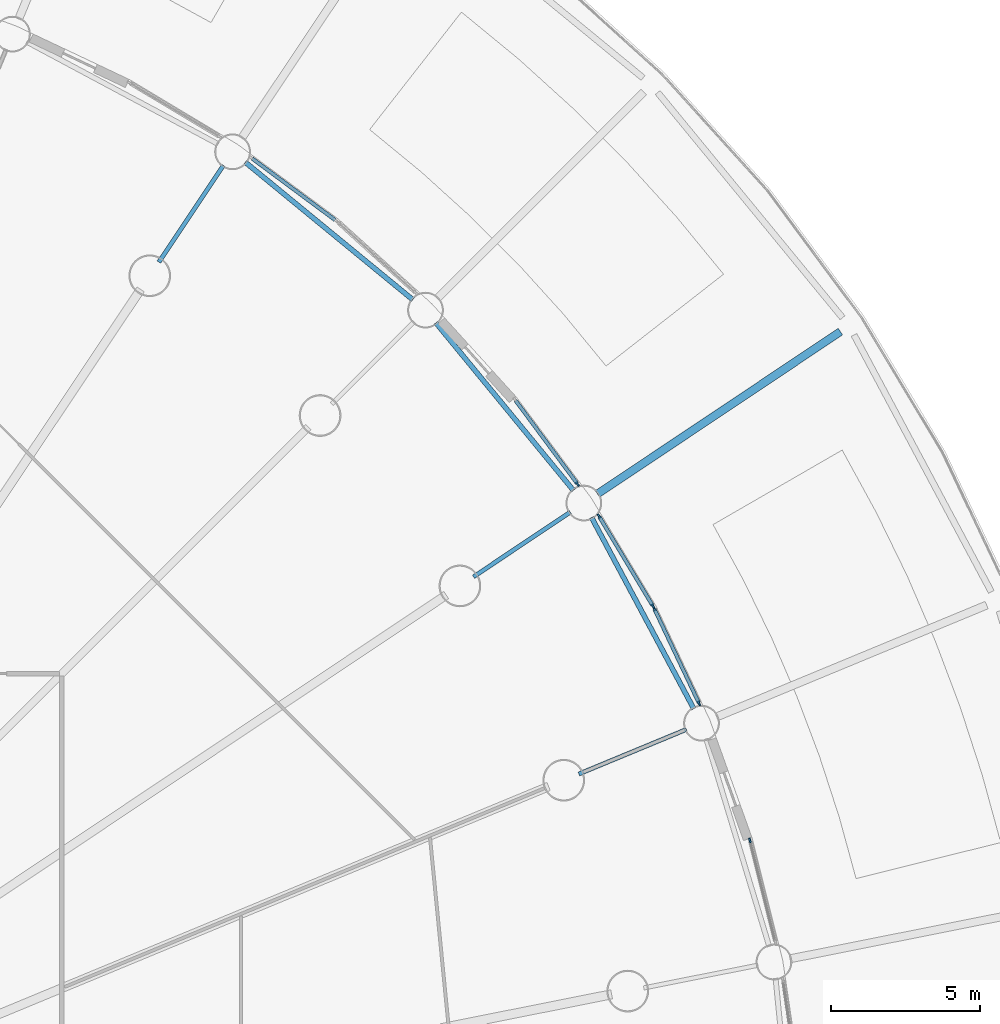
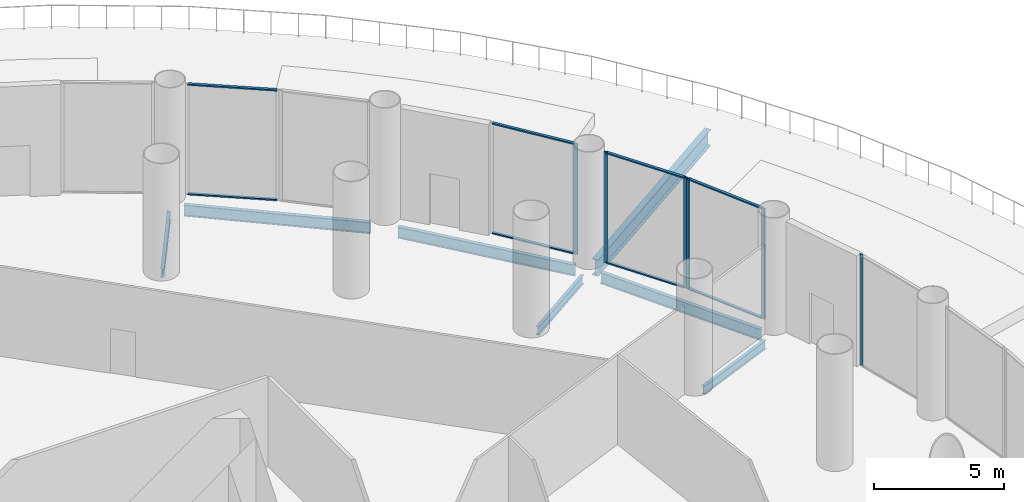
# One storey, part 23 of 36: 14 members, 7 beams, 5 elements without a shape of their own.
"""IFC4 building model written with IfcOpenShell, lengths in metres."""

from ifc_helpers import new_model, si_unit, direction, frame, origin, origin_2d, place, context, subcontext, project, spatial, rectangle, i_section, extrude, material, material_profile, profile_set, type_object, element, aggregate, save


model = new_model("IFC4")

# Units and contexts
model_context = context("Model", 3, precision=1e-05, world=origin(), true_north=direction((0.0, 1.0)))
body_context = subcontext(model_context, "Body", "Model", "MODEL_VIEW")
ifc_project = project(units=[si_unit("LENGTHUNIT", "METRE"), si_unit("AREAUNIT", "SQUARE_METRE"), si_unit("VOLUMEUNIT", "CUBIC_METRE"), si_unit("PLANEANGLEUNIT", "RADIAN"), si_unit("MASSUNIT", "GRAM", prefix="KILO")], contexts=[model_context])

# Site, building, storey
site_placement = place(None, origin())
site = spatial("IfcSite", under=ifc_project, at=site_placement, CompositionType="ELEMENT")
building_placement = place(site_placement, origin())
building = spatial("IfcBuilding", under=site, at=building_placement, Name="Corvane Civic Tower", CompositionType="ELEMENT")
storey_placement = place(building_placement, frame((0.0, 0.0, 6.0)))
storey = spatial("IfcBuildingStorey", under=building, at=storey_placement, Name="L01", CompositionType="ELEMENT", Elevation=6.0)

# Beams
ifc_material_1 = material(Name="Steel ASTM A992 Gr 50", Category="steel")
ifc_material_profile_1 = material_profile(ifc_material_1, i_section(OverallWidth=0.2666015625, OverallDepth=0.7568359375, WebThickness=0.013916015625, FlangeThickness=0.019287109375, at=origin_2d()), Name="W30X108")
ifc_profile_set_1 = profile_set([ifc_material_profile_1], Name="Steel ASTM A992 Gr 50")
beam_type_1 = type_object("IfcBeamType", Name="DECK BEAM W30X108", PredefinedType="BEAM", material=ifc_profile_set_1)
beam_placement = place(storey_placement, frame((35.961181640625, 24.0283203125, -0.678466796875), z_axis=(0.831463421309, 0.555579498385, 0.0), x_axis=(-0.555579498385, 0.831463421309, 0.0)))
element("IfcBeam", 1, at=beam_placement, inside=storey, type_object=beam_type_1, Name="BM-L01-D06", PredefinedType="BEAM", context=body_context, shape_type="SweptSolid", body=[
    extrude(i_section(OverallWidth=0.2666015625, OverallDepth=0.7568359375, WebThickness=0.013916015625, FlangeThickness=0.019287109375, at=origin_2d()), origin(), (0.0, 0.0, 1.0), 9.7998046875),
])
ifc_material_2 = material(Name="Steel ASTM A992 Gr 50", Category="steel")
ifc_material_profile_2 = material_profile(ifc_material_2, i_section(OverallWidth=0.165771484375, OverallDepth=0.5283203125, WebThickness=0.009765625, FlangeThickness=0.013671875, at=origin_2d()), Name="W21X50")
ifc_profile_set_2 = profile_set([ifc_material_profile_2], Name="Steel ASTM A992 Gr 50")
beam_type_2 = type_object("IfcBeamType", Name="EDGE BEAM W21X50", PredefinedType="BEAM", material=ifc_profile_set_2)
for number, where, z_axis, x_axis, name in (
    (2, (24.14794921875, 35.15478515625, -0.564208984375), (0.773007924807, -0.634396365205, 0.0), (0.634396365205, 0.773007924807, 0.0), "BM-L01-E04"),
    (3, (30.542236328125, 29.768310546875, -0.564208984375), (0.634396365205, -0.773007924807, 0.0), (0.773007924807, 0.634396365205, 0.0), "BM-L01-E05"),
    (4, (35.762939453125, 23.23779296875, -0.564208984375), (0.471412394598, -0.881912894916, 0.0), (0.881912894916, 0.471412394598, 0.0), "BM-L01-E06"),
):
    element("IfcBeam", number, at=place(storey_placement, frame(where, z_axis=z_axis, x_axis=x_axis)), inside=storey, type_object=beam_type_2, Name=name, PredefinedType="BEAM", context=body_context, shape_type="SweptSolid", body=[
        extrude(i_section(OverallWidth=0.165771484375, OverallDepth=0.5283203125, WebThickness=0.009765625, FlangeThickness=0.013671875, at=origin_2d()), origin(), (0.0, 0.0, 1.0), 7.270751953125),
    ])
ifc_material_3 = material(Name="Steel ASTM A992 Gr 50", Category="steel")
ifc_material_profile_3 = material_profile(ifc_material_3, i_section(OverallWidth=0.140380859375, OverallDepth=0.40380859375, WebThickness=0.007080078125, FlangeThickness=0.01123046875, at=origin_2d()), Name="W16X31")
ifc_profile_set_3 = profile_set([ifc_material_profile_3], Name="Steel ASTM A992 Gr 50")
beam_type_3 = type_object("IfcBeamType", Name="FLOOR GIRDER W16X31", PredefinedType="BEAM", material=ifc_profile_set_3)
for number, where, z_axis, x_axis, name in (
    (5, (21.25048828125, 31.8037109375, -0.501953125), (0.555581110199, 0.831462344301, 0.0), (-0.831462344301, 0.555581110199, 0.0), "BM-L01-G04b"),
    (6, (31.8037109375, 21.25048828125, -0.501953125), (0.831462344301, 0.555581110199, 0.0), (-0.555581110199, 0.831462344301, 0.0), "BM-L01-G06b"),
    (7, (35.33837890625, 14.6376953125, -0.501953125), (0.923878730261, 0.382685369162, 0.0), (-0.382685369162, 0.923878730261, 0.0), "BM-L01-G07b"),
):
    element("IfcBeam", number, at=place(storey_placement, frame(where, z_axis=z_axis, x_axis=x_axis)), inside=storey, type_object=beam_type_3, Name=name, PredefinedType="BEAM", context=body_context, shape_type="SweptSolid", body=[
        extrude(i_section(OverallWidth=0.140380859375, OverallDepth=0.40380859375, WebThickness=0.007080078125, FlangeThickness=0.01123046875, at=origin_2d()), origin(), (0.0, 0.0, 1.0), 3.89990234375),
    ])

# Curtain wall, member
ifc_material_4 = material(Name="Aluminium and glass", Category="aluminium")
curtain_wall_type = type_object("IfcCurtainWallType", Name="PODIUM-CW-P-RUN", PredefinedType="NOTDEFINED", material=ifc_material_4)
curtain_wall_1_placement = place(storey_placement, origin())
curtain_wall_1 = element("IfcCurtainWall", 8, at=curtain_wall_1_placement, inside=storey, type_object=curtain_wall_type, Name="PODI run L01-drum-05B", PredefinedType="NOTDEFINED")
ifc_material_5 = material(Name="Anodised aluminium bronze", Category="aluminium")
ifc_material_profile_4 = material_profile(ifc_material_5, rectangle(XDim=0.06005859375, YDim=0.159912109375, at=origin_2d()), Name="AL 60x160")
ifc_profile_set_4 = profile_set([ifc_material_profile_4], Name="Anodised aluminium bronze")
member_type_1 = type_object("IfcMemberType", Name="PODIUM-CWP-MULLION-60x160", PredefinedType="MULLION", material=ifc_profile_set_4)
member_1_placement = place(storey_placement, frame((35.293701171875, 24.35791015625, 0.0), z_axis=(0.0, 0.0, 1.0), x_axis=(0.803203229747, 0.595705104665, 0.0)))
member_1 = element("IfcMember", 9, at=member_1_placement, type_object=member_type_1, Name="CW-P mullion 2", PredefinedType="MULLION", context=body_context, shape_type="SweptSolid", body=[
    extrude(rectangle(XDim=0.06005859375, YDim=0.159912109375, at=origin_2d()), origin(), (0.0, 0.0, 1.0), 5.199951171875),
])

# Curtain wall, members
curtain_wall_2_placement = place(storey_placement, origin())
curtain_wall_2 = element("IfcCurtainWall", 10, at=curtain_wall_2_placement, inside=storey, type_object=curtain_wall_type, Name="PODI run L01-drum-06A", PredefinedType="NOTDEFINED")
member_2_placement = place(storey_placement, frame((36.010009765625, 23.28564453125, 0.0), z_axis=(0.0, 0.0, 1.0), x_axis=(0.857719609779, 0.514117759857, 0.0)))
member_2 = element("IfcMember", 11, at=member_2_placement, type_object=member_type_1, Name="CW-P mullion 1", PredefinedType="MULLION", context=body_context, shape_type="SweptSolid", body=[
    extrude(rectangle(XDim=0.06005859375, YDim=0.159912109375, at=origin_2d()), origin(), (0.0, 0.0, 1.0), 5.199951171875),
])
member_3_placement = place(storey_placement, frame((37.819580078125, 20.2666015625, 0.0), z_axis=(0.0, 0.0, 1.0), x_axis=(0.857719609779, 0.514117759857, 0.0)))
member_3 = element("IfcMember", 12, at=member_3_placement, type_object=member_type_1, Name="CW-P mullion 2", PredefinedType="MULLION", context=body_context, shape_type="SweptSolid", body=[
    extrude(rectangle(XDim=0.06005859375, YDim=0.159912109375, at=origin_2d()), origin(), (0.0, 0.0, 1.0), 5.199951171875),
])

curtain_wall_3_placement = place(storey_placement, origin())
curtain_wall_3 = element("IfcCurtainWall", 13, at=curtain_wall_3_placement, inside=storey, type_object=curtain_wall_type, Name="PODI run L01-drum-06B", PredefinedType="NOTDEFINED")
member_4_placement = place(storey_placement, frame((37.862548828125, 20.186279296875, 0.0), z_axis=(0.0, 0.0, 1.0), x_axis=(0.903990222454, 0.42755312852, 0.0)))
member_4 = element("IfcMember", 14, at=member_4_placement, type_object=member_type_1, Name="CW-P mullion 1", PredefinedType="MULLION", context=body_context, shape_type="SweptSolid", body=[
    extrude(rectangle(XDim=0.06005859375, YDim=0.159912109375, at=origin_2d()), origin(), (0.0, 0.0, 1.0), 5.199951171875),
])
member_5_placement = place(storey_placement, frame((39.36767578125, 17.00439453125, 0.0), z_axis=(0.0, 0.0, 1.0), x_axis=(0.903990222454, 0.42755312852, 0.0)))
member_5 = element("IfcMember", 15, at=member_5_placement, type_object=member_type_1, Name="CW-P mullion 2", PredefinedType="MULLION", context=body_context, shape_type="SweptSolid", body=[
    extrude(rectangle(XDim=0.06005859375, YDim=0.159912109375, at=origin_2d()), origin(), (0.0, 0.0, 1.0), 5.199951171875),
])

# Curtain wall, member
curtain_wall_4_placement = place(storey_placement, origin())
curtain_wall_4 = element("IfcCurtainWall", 16, at=curtain_wall_4_placement, inside=storey, type_object=curtain_wall_type, Name="PODI run L01-drum-07B", PredefinedType="NOTDEFINED")
member_6_placement = place(storey_placement, frame((41.0732421875, 12.411865234375, 0.0), z_axis=(0.0, 0.0, 1.0), x_axis=(0.970024070659, 0.243008852393, 0.0)))
member_6 = element("IfcMember", 17, at=member_6_placement, type_object=member_type_1, Name="CW-P mullion 1", PredefinedType="MULLION", context=body_context, shape_type="SweptSolid", body=[
    extrude(rectangle(XDim=0.06005859375, YDim=0.159912109375, at=origin_2d()), origin(), (0.0, 0.0, 1.0), 5.199951171875),
])
aggregate(curtain_wall_4, [member_6])

# Curtain wall, members
curtain_wall_5_placement = place(storey_placement, origin())
curtain_wall_5 = element("IfcCurtainWall", 18, at=curtain_wall_5_placement, inside=storey, type_object=curtain_wall_type, Name="PODI run L01-drum-04A", PredefinedType="NOTDEFINED")
ifc_material_6 = material(Name="Anodised aluminium bronze", Category="aluminium")
ifc_material_profile_5 = material_profile(ifc_material_6, rectangle(XDim=0.1201171875, YDim=0.06005859375, at=origin_2d()), Name="AL 120x60")
ifc_profile_set_5 = profile_set([ifc_material_profile_5], Name="Anodised aluminium bronze")
member_type_2 = type_object("IfcMemberType", Name="PODIUM-CWP-TRANSOM-60x120", PredefinedType="USERDEFINED", material=ifc_profile_set_5)
member_7_placement = place(storey_placement, frame((24.382080078125, 35.27587890625, 0.030029296875), z_axis=(0.803189518598, -0.595723591285, 0.0), x_axis=(0.595723591285, 0.803189518598, 0.0)))
member_7 = element("IfcMember", 19, at=member_7_placement, type_object=member_type_2, Name="CW-P transom 1.1", ObjectType="TRANSOM", PredefinedType="USERDEFINED", context=body_context, shape_type="SweptSolid", body=[
    extrude(rectangle(XDim=0.1201171875, YDim=0.06005859375, at=origin_2d()), origin(), (0.0, 0.0, 1.0), 3.459716796875),
])
member_8_placement = place(storey_placement, frame((24.382080078125, 35.27587890625, 5.169921875), z_axis=(0.803189518598, -0.595723591285, 0.0), x_axis=(0.595723591285, 0.803189518598, 0.0)))
member_8 = element("IfcMember", 20, at=member_8_placement, type_object=member_type_2, Name="CW-P transom 1.2", ObjectType="TRANSOM", PredefinedType="USERDEFINED", context=body_context, shape_type="SweptSolid", body=[
    extrude(rectangle(XDim=0.1201171875, YDim=0.06005859375, at=origin_2d()), origin(), (0.0, 0.0, 1.0), 3.459716796875),
])
aggregate(curtain_wall_5, [member_7, member_8])

# Member
member_9_placement = place(storey_placement, frame((33.21484375, 27.160888671875, 0.030029296875), z_axis=(0.595723591285, -0.803189518598, 0.0), x_axis=(0.803189518598, 0.595723591285, 0.0)))
member_9 = element("IfcMember", 21, at=member_9_placement, type_object=member_type_2, Name="CW-P transom 1.1", ObjectType="TRANSOM", PredefinedType="USERDEFINED", context=body_context, shape_type="SweptSolid", body=[
    extrude(rectangle(XDim=0.1201171875, YDim=0.06005859375, at=origin_2d()), origin(), (0.0, 0.0, 1.0), 3.459716796875),
])

member_10_placement = place(storey_placement, frame((33.21484375, 27.160888671875, 5.169921875), z_axis=(0.595723591285, -0.803189518598, 0.0), x_axis=(0.803189518598, 0.595723591285, 0.0)))
member_10 = element("IfcMember", 22, at=member_10_placement, type_object=member_type_2, Name="CW-P transom 1.2", ObjectType="TRANSOM", PredefinedType="USERDEFINED", context=body_context, shape_type="SweptSolid", body=[
    extrude(rectangle(XDim=0.1201171875, YDim=0.06005859375, at=origin_2d()), origin(), (0.0, 0.0, 1.0), 3.459716796875),
])

aggregate(curtain_wall_1, [member_1, member_9, member_10])

member_11_placement = place(storey_placement, frame((36.025634765625, 23.259765625, 0.030029296875), z_axis=(0.514111713099, -0.857723234181, 0.0), x_axis=(0.857723234181, 0.514111713099, 0.0)))
member_11 = element("IfcMember", 23, at=member_11_placement, type_object=member_type_2, Name="CW-P transom 1.1", ObjectType="TRANSOM", PredefinedType="USERDEFINED", context=body_context, shape_type="SweptSolid", body=[
    extrude(rectangle(XDim=0.1201171875, YDim=0.06005859375, at=origin_2d()), origin(), (0.0, 0.0, 1.0), 3.45947265625),
])

member_12_placement = place(storey_placement, frame((36.025634765625, 23.259765625, 5.169921875), z_axis=(0.514111713099, -0.857723234181, 0.0), x_axis=(0.857723234181, 0.514111713099, 0.0)))
member_12 = element("IfcMember", 24, at=member_12_placement, type_object=member_type_2, Name="CW-P transom 1.2", ObjectType="TRANSOM", PredefinedType="USERDEFINED", context=body_context, shape_type="SweptSolid", body=[
    extrude(rectangle(XDim=0.1201171875, YDim=0.06005859375, at=origin_2d()), origin(), (0.0, 0.0, 1.0), 3.45947265625),
])

aggregate(curtain_wall_2, [member_2, member_3, member_11, member_12])

member_13_placement = place(storey_placement, frame((37.87548828125, 20.1591796875, 0.030029296875), z_axis=(0.427546343166, -0.903993431638, 0.0), x_axis=(0.903993431638, 0.427546343166, 0.0)))
member_13 = element("IfcMember", 25, at=member_13_placement, type_object=member_type_2, Name="CW-P transom 1.1", ObjectType="TRANSOM", PredefinedType="USERDEFINED", context=body_context, shape_type="SweptSolid", body=[
    extrude(rectangle(XDim=0.1201171875, YDim=0.06005859375, at=origin_2d()), origin(), (0.0, 0.0, 1.0), 3.4599609375),
])

member_14_placement = place(storey_placement, frame((37.87548828125, 20.1591796875, 5.169921875), z_axis=(0.427546343166, -0.903993431638, 0.0), x_axis=(0.903993431638, 0.427546343166, 0.0)))
member_14 = element("IfcMember", 26, at=member_14_placement, type_object=member_type_2, Name="CW-P transom 1.2", ObjectType="TRANSOM", PredefinedType="USERDEFINED", context=body_context, shape_type="SweptSolid", body=[
    extrude(rectangle(XDim=0.1201171875, YDim=0.06005859375, at=origin_2d()), origin(), (0.0, 0.0, 1.0), 3.4599609375),
])

aggregate(curtain_wall_3, [member_4, member_5, member_13, member_14])

save(model, "model.ifc")
